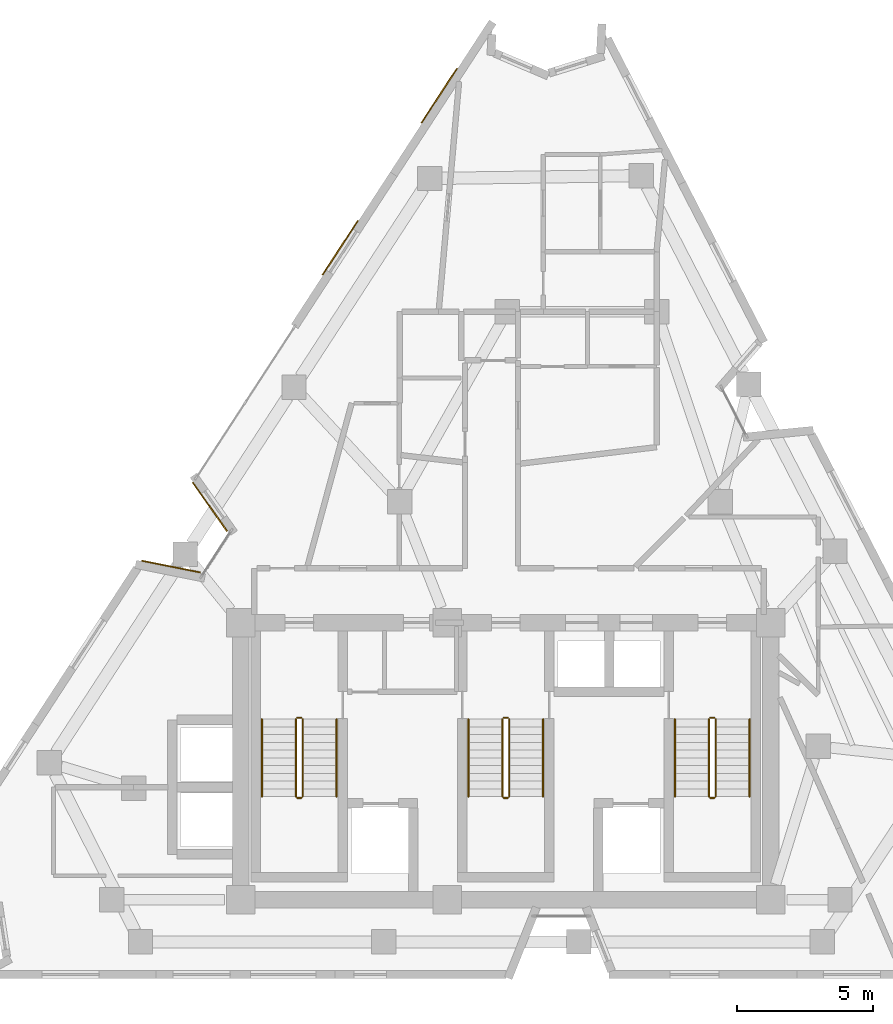
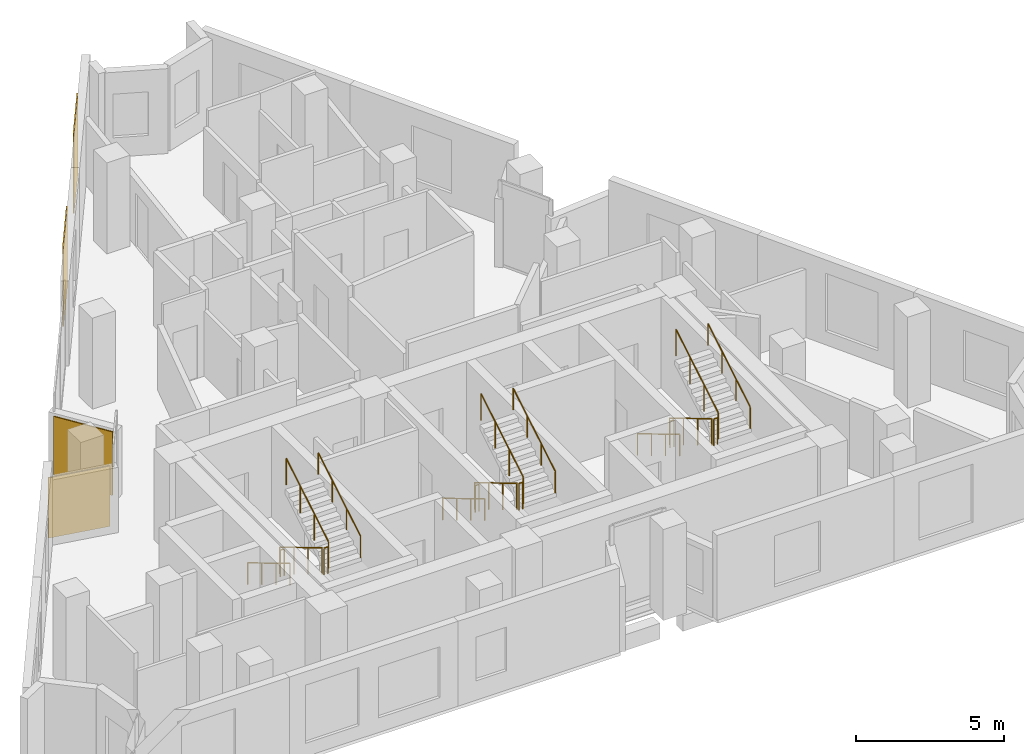
# One storey, part 9 of 9: 18 railings, 4 coverings.
"""IFC4 building model written with IfcOpenShell, lengths in metres."""

from ifc_helpers import new_model, si_unit, direction, frame, origin, origin_2d, place, context, subcontext, project, spatial, rectangle, circle, extrude, material, layer, layer_set, type_object, element, save


model = new_model("IFC4")

# Units and contexts
model_context = context("Model", 3, precision=1e-05, world=origin(), true_north=direction((0.0, 1.0)))
body_context = subcontext(model_context, "Body", "Model", "MODEL_VIEW")
ifc_project = project(units=[si_unit("LENGTHUNIT", "METRE"), si_unit("AREAUNIT", "SQUARE_METRE"), si_unit("VOLUMEUNIT", "CUBIC_METRE"), si_unit("PLANEANGLEUNIT", "RADIAN"), si_unit("MASSUNIT", "GRAM", prefix="KILO")], contexts=[model_context])

# Site, building, storey
site_placement = place(None, origin())
site = spatial("IfcSite", under=ifc_project, at=site_placement, CompositionType="ELEMENT")
building_placement = place(site_placement, origin())
building = spatial("IfcBuilding", under=site, at=building_placement, Name="Almagre Mirador Tower", CompositionType="ELEMENT")
storey_placement = place(building_placement, frame((0.0, 0.0, 207.0)))
storey = spatial("IfcBuildingStorey", under=building, at=storey_placement, Name="L53", CompositionType="ELEMENT", Elevation=207.0)

# Coverings
ifc_material_1 = material(Name="Almagre terracotta architectural cladding", Category="masonry")
ifc_layer = layer(ifc_material_1, 0.044921875)
ifc_layer_set = layer_set([ifc_layer], Name="Almagre terracotta architectural cladding")
covering_type = type_object("IfcCoveringType", Name="COV-CLAD-ALMAGRE", PredefinedType="CLADDING", material=ifc_layer_set)
covering_1_placement = place(storey_placement, frame((24.98095703125, 16.81298828125, 0.10009765625), z_axis=(0.0, 0.0, 1.0), x_axis=(0.980381414413, -0.197109822874, 0.0)))
element("IfcCovering", 1, at=covering_1_placement, inside=storey, type_object=covering_type, Name="L53 almagre terracotta pier cladding", PredefinedType="CLADDING", context=body_context, shape_type="SweptSolid", body=[
    extrude(rectangle(XDim=2.193115234375, YDim=0.044921875, at=origin_2d()), origin(), (0.0, 0.0, 1.0), 2.489990234375),
])
covering_2_placement = place(storey_placement, frame((26.41259765625, 19.012451171875, 0.10009765625), z_axis=(0.0, 0.0, 1.0), x_axis=(-0.576931374002, 0.816792623432, 0.0)))
element("IfcCovering", 2, at=covering_2_placement, inside=storey, type_object=covering_type, Name="L53 almagre terracotta pier cladding", PredefinedType="CLADDING", context=body_context, shape_type="SweptSolid", body=[
    extrude(rectangle(XDim=2.194091796875, YDim=0.044921875, at=origin_2d()), origin(), (0.0, 0.0, 1.0), 2.625),
])
for number, where, z_axis, x_axis, name in (
    (3, (31.20751953125, 28.546630859375, 0.10009765625), (0.0, 0.0, 1.0), (0.545619379119, 0.838033109805, 0.0), "L53 almagre terracotta pier cladding"),
    (4, (34.851318359375, 34.1435546875, 0.10009765625), (0.0, 0.0, 1.0), (0.545619379119, 0.838033109805, 0.0), "L53 almagre terracotta pier cladding"),
):
    element("IfcCovering", number, at=place(storey_placement, frame(where, z_axis=z_axis, x_axis=x_axis)), inside=storey, type_object=covering_type, Name=name, PredefinedType="CLADDING", context=body_context, shape_type="SweptSolid", body=[
        extrude(rectangle(XDim=2.39990234375, YDim=0.044921875, at=origin_2d()), origin(), (0.0, 0.0, 1.0), 3.300048828125),
    ])

# Railings
ifc_material_2 = material(Name="Painted galvanized steel", Category="steel")
railing_type_1 = type_object("IfcRailingType", Name="RLG-GRD-1100", PredefinedType="GUARDRAIL", material=ifc_material_2)
railing_1_placement = place(storey_placement, frame((29.574951171875, 11.199951171875, 0.17041015625)))
element("IfcRailing", 5, at=railing_1_placement, inside=storey, type_object=railing_type_1, Name="L53 ST-1 stair guard 1", PredefinedType="GUARDRAIL", context=body_context, shape_type="SweptSolid", body=[
    extrude(circle(Radius=0.02392578125, at=origin_2d()), frame((0.0, 0.0, 1.09619140625), z_axis=(0.0, -0.858199205511, 0.513316786848), x_axis=(1.0, 0.0, 0.0)), (0.0, 0.0, 1.0), 3.32080078125),
    extrude(circle(Radius=0.02099609375, at=origin_2d()), origin(), (0.0, 0.0, 1.0), 1.072021484375),
    extrude(circle(Radius=0.02099609375, at=origin_2d()), frame((0.0, -0.949951171875, 0.568115234375)), (0.0, 0.0, 1.0), 1.072021484375),
    extrude(circle(Radius=0.02099609375, at=origin_2d()), frame((0.0, -1.89990234375, 1.136474609375)), (0.0, 0.0, 1.0), 1.072021484375),
    extrude(circle(Radius=0.02099609375, at=origin_2d()), frame((0.0, -2.849853515625, 1.70458984375)), (0.0, 0.0, 1.0), 1.072021484375),
])
railing_2_placement = place(storey_placement, frame((29.625, 8.300048828125, 1.875)))
element("IfcRailing", 6, at=railing_2_placement, inside=storey, type_object=railing_type_1, Name="L53 ST-1 stair guard 2", PredefinedType="GUARDRAIL", context=body_context, shape_type="SweptSolid", body=[
    extrude(circle(Radius=0.02392578125, at=origin_2d()), frame((0.0, 0.0, 1.09619140625), z_axis=(1.0, 0.0, 0.0), x_axis=(0.0, 1.0, 0.0)), (0.0, 0.0, 1.0), 0.14990234375),
    extrude(circle(Radius=0.02099609375, at=origin_2d()), origin(), (0.0, 0.0, 1.0), 1.072021484375),
    extrude(circle(Radius=0.02099609375, at=origin_2d()), frame((0.14990234375, 0.0, 0.0)), (0.0, 0.0, 1.0), 1.072021484375),
])
railing_3_placement = place(storey_placement, frame((29.824951171875, 8.35009765625, 2.04541015625)))
element("IfcRailing", 7, at=railing_3_placement, inside=storey, type_object=railing_type_1, Name="L53 ST-1 stair guard 3", PredefinedType="GUARDRAIL", context=body_context, shape_type="SweptSolid", body=[
    extrude(circle(Radius=0.02392578125, at=origin_2d()), frame((0.0, 0.0, 1.09619140625), z_axis=(0.0, 0.858199205511, 0.513316786848), x_axis=(-1.0, 0.0, 0.0)), (0.0, 0.0, 1.0), 3.32080078125),
    extrude(circle(Radius=0.02099609375, at=origin_2d()), origin(), (0.0, 0.0, 1.0), 1.072021484375),
    extrude(circle(Radius=0.02099609375, at=origin_2d()), frame((0.0, 0.949951171875, 0.568115234375)), (0.0, 0.0, 1.0), 1.072021484375),
    extrude(circle(Radius=0.02099609375, at=origin_2d()), frame((0.0, 1.89990234375, 1.136474609375)), (0.0, 0.0, 1.0), 1.072021484375),
    extrude(circle(Radius=0.02099609375, at=origin_2d()), frame((0.0, 2.849853515625, 1.70458984375)), (0.0, 0.0, 1.0), 1.072021484375),
])
railing_4_placement = place(storey_placement, frame((29.625, 11.25, 0.0)))
element("IfcRailing", 8, at=railing_4_placement, inside=storey, type_object=railing_type_1, Name="L53 ST-1 stair guard 4", PredefinedType="GUARDRAIL", context=body_context, shape_type="SweptSolid", body=[
    extrude(circle(Radius=0.02392578125, at=origin_2d()), frame((0.0, 0.0, 1.09619140625), z_axis=(1.0, 0.0, 0.0), x_axis=(0.0, 1.0, 0.0)), (0.0, 0.0, 1.0), 0.14990234375),
    extrude(circle(Radius=0.02099609375, at=origin_2d()), origin(), (0.0, 0.0, 1.0), 1.072021484375),
    extrude(circle(Radius=0.02099609375, at=origin_2d()), frame((0.14990234375, 0.0, 0.0)), (0.0, 0.0, 1.0), 1.072021484375),
])
railing_5_placement = place(storey_placement, frame((37.175048828125, 11.199951171875, 0.17041015625)))
element("IfcRailing", 9, at=railing_5_placement, inside=storey, type_object=railing_type_1, Name="L53 ST-2 stair guard 1", PredefinedType="GUARDRAIL", context=body_context, shape_type="SweptSolid", body=[
    extrude(circle(Radius=0.02392578125, at=origin_2d()), frame((0.0, 0.0, 1.09619140625), z_axis=(0.0, -0.858199205511, 0.513316786848), x_axis=(1.0, 0.0, 0.0)), (0.0, 0.0, 1.0), 3.32080078125),
    extrude(circle(Radius=0.02099609375, at=origin_2d()), origin(), (0.0, 0.0, 1.0), 1.072021484375),
    extrude(circle(Radius=0.02099609375, at=origin_2d()), frame((0.0, -0.949951171875, 0.568115234375)), (0.0, 0.0, 1.0), 1.072021484375),
    extrude(circle(Radius=0.02099609375, at=origin_2d()), frame((0.0, -1.89990234375, 1.136474609375)), (0.0, 0.0, 1.0), 1.072021484375),
    extrude(circle(Radius=0.02099609375, at=origin_2d()), frame((0.0, -2.849853515625, 1.70458984375)), (0.0, 0.0, 1.0), 1.072021484375),
])
railing_6_placement = place(storey_placement, frame((37.22509765625, 8.300048828125, 1.875)))
element("IfcRailing", 10, at=railing_6_placement, inside=storey, type_object=railing_type_1, Name="L53 ST-2 stair guard 2", PredefinedType="GUARDRAIL", context=body_context, shape_type="SweptSolid", body=[
    extrude(circle(Radius=0.02392578125, at=origin_2d()), frame((0.0, 0.0, 1.09619140625), z_axis=(1.0, 0.0, 0.0), x_axis=(0.0, 1.0, 0.0)), (0.0, 0.0, 1.0), 0.14990234375),
    extrude(circle(Radius=0.02099609375, at=origin_2d()), origin(), (0.0, 0.0, 1.0), 1.072021484375),
    extrude(circle(Radius=0.02099609375, at=origin_2d()), frame((0.14990234375, 0.0, 0.0)), (0.0, 0.0, 1.0), 1.072021484375),
])
railing_7_placement = place(storey_placement, frame((37.425048828125, 8.35009765625, 2.04541015625)))
element("IfcRailing", 11, at=railing_7_placement, inside=storey, type_object=railing_type_1, Name="L53 ST-2 stair guard 3", PredefinedType="GUARDRAIL", context=body_context, shape_type="SweptSolid", body=[
    extrude(circle(Radius=0.02392578125, at=origin_2d()), frame((0.0, 0.0, 1.09619140625), z_axis=(0.0, 0.858199205511, 0.513316786848), x_axis=(-1.0, 0.0, 0.0)), (0.0, 0.0, 1.0), 3.32080078125),
    extrude(circle(Radius=0.02099609375, at=origin_2d()), origin(), (0.0, 0.0, 1.0), 1.072021484375),
    extrude(circle(Radius=0.02099609375, at=origin_2d()), frame((0.0, 0.949951171875, 0.568115234375)), (0.0, 0.0, 1.0), 1.072021484375),
    extrude(circle(Radius=0.02099609375, at=origin_2d()), frame((0.0, 1.89990234375, 1.136474609375)), (0.0, 0.0, 1.0), 1.072021484375),
    extrude(circle(Radius=0.02099609375, at=origin_2d()), frame((0.0, 2.849853515625, 1.70458984375)), (0.0, 0.0, 1.0), 1.072021484375),
])
railing_8_placement = place(storey_placement, frame((37.22509765625, 11.25, 0.0)))
element("IfcRailing", 12, at=railing_8_placement, inside=storey, type_object=railing_type_1, Name="L53 ST-2 stair guard 4", PredefinedType="GUARDRAIL", context=body_context, shape_type="SweptSolid", body=[
    extrude(circle(Radius=0.02392578125, at=origin_2d()), frame((0.0, 0.0, 1.09619140625), z_axis=(1.0, 0.0, 0.0), x_axis=(0.0, 1.0, 0.0)), (0.0, 0.0, 1.0), 0.14990234375),
    extrude(circle(Radius=0.02099609375, at=origin_2d()), origin(), (0.0, 0.0, 1.0), 1.072021484375),
    extrude(circle(Radius=0.02099609375, at=origin_2d()), frame((0.14990234375, 0.0, 0.0)), (0.0, 0.0, 1.0), 1.072021484375),
])
railing_9_placement = place(storey_placement, frame((44.77490234375, 11.199951171875, 0.17041015625)))
element("IfcRailing", 13, at=railing_9_placement, inside=storey, type_object=railing_type_1, Name="L53 ST-3 stair guard 1", PredefinedType="GUARDRAIL", context=body_context, shape_type="SweptSolid", body=[
    extrude(circle(Radius=0.02392578125, at=origin_2d()), frame((0.0, 0.0, 1.09619140625), z_axis=(0.0, -0.858199205511, 0.513316786848), x_axis=(1.0, 0.0, 0.0)), (0.0, 0.0, 1.0), 3.32080078125),
    extrude(circle(Radius=0.02099609375, at=origin_2d()), origin(), (0.0, 0.0, 1.0), 1.072021484375),
    extrude(circle(Radius=0.02099609375, at=origin_2d()), frame((0.0, -0.949951171875, 0.568115234375)), (0.0, 0.0, 1.0), 1.072021484375),
    extrude(circle(Radius=0.02099609375, at=origin_2d()), frame((0.0, -1.89990234375, 1.136474609375)), (0.0, 0.0, 1.0), 1.072021484375),
    extrude(circle(Radius=0.02099609375, at=origin_2d()), frame((0.0, -2.849853515625, 1.70458984375)), (0.0, 0.0, 1.0), 1.072021484375),
])
railing_10_placement = place(storey_placement, frame((44.824951171875, 8.300048828125, 1.875)))
element("IfcRailing", 14, at=railing_10_placement, inside=storey, type_object=railing_type_1, Name="L53 ST-3 stair guard 2", PredefinedType="GUARDRAIL", context=body_context, shape_type="SweptSolid", body=[
    extrude(circle(Radius=0.02392578125, at=origin_2d()), frame((0.0, 0.0, 1.09619140625), z_axis=(1.0, 0.0, 0.0), x_axis=(0.0, 1.0, 0.0)), (0.0, 0.0, 1.0), 0.150146484375),
    extrude(circle(Radius=0.02099609375, at=origin_2d()), origin(), (0.0, 0.0, 1.0), 1.072021484375),
    extrude(circle(Radius=0.02099609375, at=origin_2d()), frame((0.150146484375, 0.0, 0.0)), (0.0, 0.0, 1.0), 1.072021484375),
])
railing_11_placement = place(storey_placement, frame((45.02490234375, 8.35009765625, 2.04541015625)))
element("IfcRailing", 15, at=railing_11_placement, inside=storey, type_object=railing_type_1, Name="L53 ST-3 stair guard 3", PredefinedType="GUARDRAIL", context=body_context, shape_type="SweptSolid", body=[
    extrude(circle(Radius=0.02392578125, at=origin_2d()), frame((0.0, 0.0, 1.09619140625), z_axis=(0.0, 0.858199205511, 0.513316786848), x_axis=(-1.0, 0.0, 0.0)), (0.0, 0.0, 1.0), 3.32080078125),
    extrude(circle(Radius=0.02099609375, at=origin_2d()), origin(), (0.0, 0.0, 1.0), 1.072021484375),
    extrude(circle(Radius=0.02099609375, at=origin_2d()), frame((0.0, 0.949951171875, 0.568115234375)), (0.0, 0.0, 1.0), 1.072021484375),
    extrude(circle(Radius=0.02099609375, at=origin_2d()), frame((0.0, 1.89990234375, 1.136474609375)), (0.0, 0.0, 1.0), 1.072021484375),
    extrude(circle(Radius=0.02099609375, at=origin_2d()), frame((0.0, 2.849853515625, 1.70458984375)), (0.0, 0.0, 1.0), 1.072021484375),
])
railing_12_placement = place(storey_placement, frame((44.824951171875, 11.25, 0.0)))
element("IfcRailing", 16, at=railing_12_placement, inside=storey, type_object=railing_type_1, Name="L53 ST-3 stair guard 4", PredefinedType="GUARDRAIL", context=body_context, shape_type="SweptSolid", body=[
    extrude(circle(Radius=0.02392578125, at=origin_2d()), frame((0.0, 0.0, 1.09619140625), z_axis=(1.0, 0.0, 0.0), x_axis=(0.0, 1.0, 0.0)), (0.0, 0.0, 1.0), 0.150146484375),
    extrude(circle(Radius=0.02099609375, at=origin_2d()), origin(), (0.0, 0.0, 1.0), 1.072021484375),
    extrude(circle(Radius=0.02099609375, at=origin_2d()), frame((0.150146484375, 0.0, 0.0)), (0.0, 0.0, 1.0), 1.072021484375),
])
ifc_material_3 = material(Name="Brushed stainless steel", Category="steel")
railing_type_2 = type_object("IfcRailingType", Name="RLG-HND-915", PredefinedType="HANDRAIL", material=ifc_material_3)
railing_13_placement = place(storey_placement, frame((28.324951171875, 11.199951171875, 0.17041015625)))
element("IfcRailing", 17, at=railing_13_placement, inside=storey, type_object=railing_type_2, Name="L53 ST-1 stair handrail 1", PredefinedType="HANDRAIL", context=body_context, shape_type="SweptSolid", body=[
    extrude(circle(Radius=0.02392578125, at=origin_2d()), frame((0.0, 0.0, 0.89111328125), z_axis=(0.0, -0.858199205511, 0.513316786848), x_axis=(1.0, 0.0, 0.0)), (0.0, 0.0, 1.0), 3.32080078125),
    extrude(circle(Radius=0.02099609375, at=origin_2d()), origin(), (0.0, 0.0, 1.0), 0.866943359375),
    extrude(circle(Radius=0.02099609375, at=origin_2d()), frame((0.0, -0.949951171875, 0.568115234375)), (0.0, 0.0, 1.0), 0.866943359375),
    extrude(circle(Radius=0.02099609375, at=origin_2d()), frame((0.0, -1.89990234375, 1.136474609375)), (0.0, 0.0, 1.0), 0.866943359375),
    extrude(circle(Radius=0.02099609375, at=origin_2d()), frame((0.0, -2.849853515625, 1.70458984375)), (0.0, 0.0, 1.0), 0.866943359375),
])
railing_14_placement = place(storey_placement, frame((31.074951171875, 8.35009765625, 2.04541015625)))
element("IfcRailing", 18, at=railing_14_placement, inside=storey, type_object=railing_type_2, Name="L53 ST-1 stair handrail 2", PredefinedType="HANDRAIL", context=body_context, shape_type="SweptSolid", body=[
    extrude(circle(Radius=0.02392578125, at=origin_2d()), frame((0.0, 0.0, 0.89111328125), z_axis=(0.0, 0.858199205511, 0.513316786848), x_axis=(-1.0, 0.0, 0.0)), (0.0, 0.0, 1.0), 3.32080078125),
    extrude(circle(Radius=0.02099609375, at=origin_2d()), origin(), (0.0, 0.0, 1.0), 0.866943359375),
    extrude(circle(Radius=0.02099609375, at=origin_2d()), frame((0.0, 0.949951171875, 0.568115234375)), (0.0, 0.0, 1.0), 0.866943359375),
    extrude(circle(Radius=0.02099609375, at=origin_2d()), frame((0.0, 1.89990234375, 1.136474609375)), (0.0, 0.0, 1.0), 0.866943359375),
    extrude(circle(Radius=0.02099609375, at=origin_2d()), frame((0.0, 2.849853515625, 1.70458984375)), (0.0, 0.0, 1.0), 0.866943359375),
])
railing_15_placement = place(storey_placement, frame((35.925048828125, 11.199951171875, 0.17041015625)))
element("IfcRailing", 19, at=railing_15_placement, inside=storey, type_object=railing_type_2, Name="L53 ST-2 stair handrail 1", PredefinedType="HANDRAIL", context=body_context, shape_type="SweptSolid", body=[
    extrude(circle(Radius=0.02392578125, at=origin_2d()), frame((0.0, 0.0, 0.89111328125), z_axis=(0.0, -0.858199205511, 0.513316786848), x_axis=(1.0, 0.0, 0.0)), (0.0, 0.0, 1.0), 3.32080078125),
    extrude(circle(Radius=0.02099609375, at=origin_2d()), origin(), (0.0, 0.0, 1.0), 0.866943359375),
    extrude(circle(Radius=0.02099609375, at=origin_2d()), frame((0.0, -0.949951171875, 0.568115234375)), (0.0, 0.0, 1.0), 0.866943359375),
    extrude(circle(Radius=0.02099609375, at=origin_2d()), frame((0.0, -1.89990234375, 1.136474609375)), (0.0, 0.0, 1.0), 0.866943359375),
    extrude(circle(Radius=0.02099609375, at=origin_2d()), frame((0.0, -2.849853515625, 1.70458984375)), (0.0, 0.0, 1.0), 0.866943359375),
])
railing_16_placement = place(storey_placement, frame((38.675048828125, 8.35009765625, 2.04541015625)))
element("IfcRailing", 20, at=railing_16_placement, inside=storey, type_object=railing_type_2, Name="L53 ST-2 stair handrail 2", PredefinedType="HANDRAIL", context=body_context, shape_type="SweptSolid", body=[
    extrude(circle(Radius=0.02392578125, at=origin_2d()), frame((0.0, 0.0, 0.89111328125), z_axis=(0.0, 0.858199205511, 0.513316786848), x_axis=(-1.0, 0.0, 0.0)), (0.0, 0.0, 1.0), 3.32080078125),
    extrude(circle(Radius=0.02099609375, at=origin_2d()), origin(), (0.0, 0.0, 1.0), 0.866943359375),
    extrude(circle(Radius=0.02099609375, at=origin_2d()), frame((0.0, 0.949951171875, 0.568115234375)), (0.0, 0.0, 1.0), 0.866943359375),
    extrude(circle(Radius=0.02099609375, at=origin_2d()), frame((0.0, 1.89990234375, 1.136474609375)), (0.0, 0.0, 1.0), 0.866943359375),
    extrude(circle(Radius=0.02099609375, at=origin_2d()), frame((0.0, 2.849853515625, 1.70458984375)), (0.0, 0.0, 1.0), 0.866943359375),
])
railing_17_placement = place(storey_placement, frame((43.52490234375, 11.199951171875, 0.17041015625)))
element("IfcRailing", 21, at=railing_17_placement, inside=storey, type_object=railing_type_2, Name="L53 ST-3 stair handrail 1", PredefinedType="HANDRAIL", context=body_context, shape_type="SweptSolid", body=[
    extrude(circle(Radius=0.02392578125, at=origin_2d()), frame((0.0, 0.0, 0.89111328125), z_axis=(0.0, -0.858199205511, 0.513316786848), x_axis=(1.0, 0.0, 0.0)), (0.0, 0.0, 1.0), 3.32080078125),
    extrude(circle(Radius=0.02099609375, at=origin_2d()), origin(), (0.0, 0.0, 1.0), 0.866943359375),
    extrude(circle(Radius=0.02099609375, at=origin_2d()), frame((0.0, -0.949951171875, 0.568115234375)), (0.0, 0.0, 1.0), 0.866943359375),
    extrude(circle(Radius=0.02099609375, at=origin_2d()), frame((0.0, -1.89990234375, 1.136474609375)), (0.0, 0.0, 1.0), 0.866943359375),
    extrude(circle(Radius=0.02099609375, at=origin_2d()), frame((0.0, -2.849853515625, 1.70458984375)), (0.0, 0.0, 1.0), 0.866943359375),
])
railing_18_placement = place(storey_placement, frame((46.27490234375, 8.35009765625, 2.04541015625)))
element("IfcRailing", 22, at=railing_18_placement, inside=storey, type_object=railing_type_2, Name="L53 ST-3 stair handrail 2", PredefinedType="HANDRAIL", context=body_context, shape_type="SweptSolid", body=[
    extrude(circle(Radius=0.02392578125, at=origin_2d()), frame((0.0, 0.0, 0.89111328125), z_axis=(0.0, 0.858199205511, 0.513316786848), x_axis=(-1.0, 0.0, 0.0)), (0.0, 0.0, 1.0), 3.32080078125),
    extrude(circle(Radius=0.02099609375, at=origin_2d()), origin(), (0.0, 0.0, 1.0), 0.866943359375),
    extrude(circle(Radius=0.02099609375, at=origin_2d()), frame((0.0, 0.949951171875, 0.568115234375)), (0.0, 0.0, 1.0), 0.866943359375),
    extrude(circle(Radius=0.02099609375, at=origin_2d()), frame((0.0, 1.89990234375, 1.136474609375)), (0.0, 0.0, 1.0), 0.866943359375),
    extrude(circle(Radius=0.02099609375, at=origin_2d()), frame((0.0, 2.849853515625, 1.70458984375)), (0.0, 0.0, 1.0), 0.866943359375),
])

save(model, "model.ifc")
